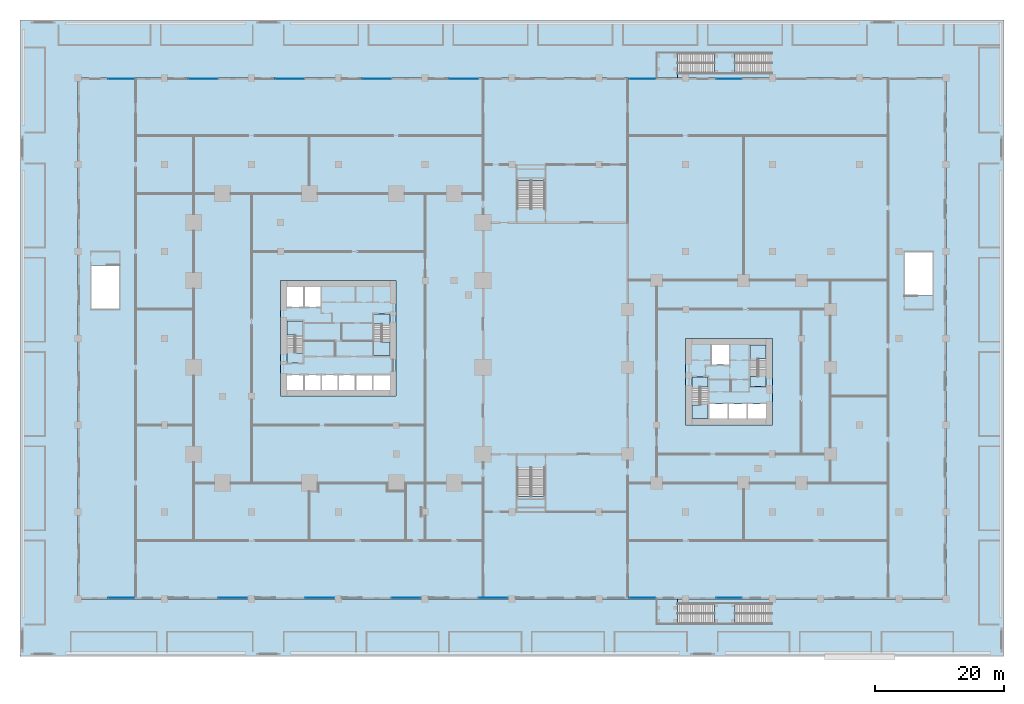
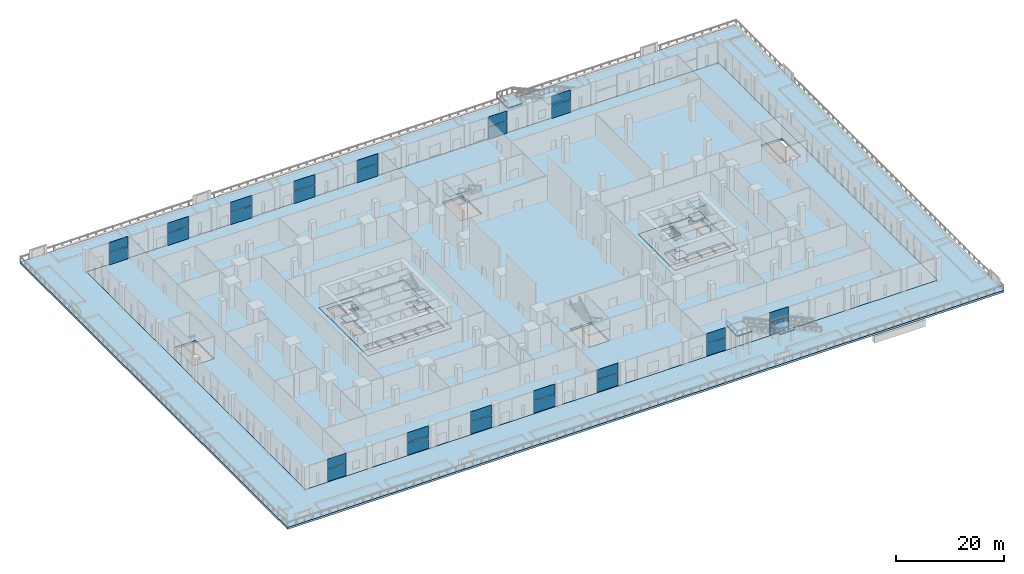
# One storey, part 18 of 47: 28 plates, 22 slabs, 22 elements without a shape of their own.
"""IFC4 building model written with IfcOpenShell, lengths in metres."""

from ifc_helpers import new_model, si_unit, direction, frame, origin, origin_2d, place, context, subcontext, project, spatial, polyline, rectangle, outline, extrude, material, layer, layer_set, type_object, element, aggregate, save


model = new_model("IFC4")

# Units and contexts
model_context = context("Model", 3, precision=1e-05, world=origin(), true_north=direction((0.0, 1.0)))
body_context = subcontext(model_context, "Body", "Model", "MODEL_VIEW")
ifc_project = project(units=[si_unit("LENGTHUNIT", "METRE"), si_unit("AREAUNIT", "SQUARE_METRE"), si_unit("VOLUMEUNIT", "CUBIC_METRE"), si_unit("PLANEANGLEUNIT", "RADIAN"), si_unit("MASSUNIT", "GRAM", prefix="KILO")], contexts=[model_context])

# Site, building, storey
site_placement = place(None, origin())
site = spatial("IfcSite", under=ifc_project, at=site_placement, CompositionType="ELEMENT")
building_placement = place(site_placement, origin())
building = spatial("IfcBuilding", under=site, at=building_placement, Name="Altepetl Exchange Towers", CompositionType="ELEMENT")
storey_placement = place(building_placement, frame((0.0, 0.0, 6.0)))
storey = spatial("IfcBuildingStorey", under=building, at=storey_placement, Name="L01 Retail podium", CompositionType="ELEMENT", Elevation=6.0)

# Slabs
ifc_material_1 = material(Name="Concrete C40/50", Category="concrete")
ifc_layer_1 = layer(ifc_material_1, 0.5)
ifc_layer_set_1 = layer_set([ifc_layer_1], Name="Concrete C40/50")
slab_type_1 = type_object("IfcSlabType", Name="Core floor slab 500", PredefinedType="FLOOR", material=ifc_layer_set_1)
slab_1_placement = place(storey_placement, frame((0.0, 0.0, -0.5)))
element("IfcSlab", 1, at=slab_1_placement, inside=storey, type_object=slab_type_1, Name="slab:A:L01:core0", PredefinedType="FLOOR", context=body_context, shape_type="SweptSolid", body=[
    extrude(outline(polyline([(40.5, 40.5), (58.5, 40.5), (58.5, 58.5), (40.5, 58.5), (40.5, 40.5)]), holes=[polyline([(41.5, 43.800048828125), (44.06689453125, 43.800048828125), (44.06689453125, 41.5), (41.5, 41.5), (41.5, 43.800048828125)]), polyline([(44.26708984375, 43.800048828125), (46.73291015625, 43.800048828125), (46.73291015625, 41.5), (44.26708984375, 41.5), (44.26708984375, 43.800048828125)]), polyline([(46.93310546875, 43.800048828125), (49.39990234375, 43.800048828125), (49.39990234375, 41.5), (46.93310546875, 41.5), (46.93310546875, 43.800048828125)]), polyline([(52.06689453125, 43.800048828125), (52.06689453125, 41.5), (49.60009765625, 41.5), (49.60009765625, 43.800048828125), (52.06689453125, 43.800048828125)]), polyline([(54.73291015625, 43.800048828125), (54.73291015625, 41.5), (52.26708984375, 41.5), (52.26708984375, 43.800048828125), (54.73291015625, 43.800048828125)]), polyline([(54.93310546875, 43.800048828125), (57.5, 43.800048828125), (57.5, 41.5), (54.93310546875, 41.5), (54.93310546875, 43.800048828125)]), polyline([(55.0, 51.7490234375), (56.300048828125, 51.7490234375), (56.300048828125, 51.64990234375), (57.5, 51.64990234375), (57.5, 46.800048828125), (55.0, 46.800048828125), (55.0, 51.7490234375)]), polyline([(44.0, 47.2509765625), (42.699951171875, 47.2509765625), (42.699951171875, 47.35009765625), (41.5, 47.35009765625), (41.5, 52.199951171875), (44.0, 52.199951171875), (44.0, 47.2509765625)]), polyline([(44.06689453125, 57.5), (44.06689453125, 54.39990234375), (41.5, 54.39990234375), (41.5, 57.5), (44.06689453125, 57.5)]), polyline([(46.73291015625, 57.5), (46.73291015625, 54.39990234375), (44.26708984375, 54.39990234375), (44.26708984375, 57.5), (46.73291015625, 57.5)])]), origin(), (0.0, 0.0, 1.0), 0.5),
])
slab_2_placement = place(storey_placement, frame((0.0, 0.0, -0.5)))
element("IfcSlab", 2, at=slab_2_placement, inside=storey, type_object=slab_type_1, Name="slab:B:L01:core0", PredefinedType="FLOOR", context=body_context, shape_type="SweptSolid", body=[
    extrude(outline(polyline([(103.5, 36.0), (117.0, 36.0), (117.0, 49.5), (103.5, 49.5), (103.5, 36.0)]), holes=[polyline([(107.199951171875, 37.0), (107.199951171875, 39.300048828125), (110.032958984375, 39.300048828125), (110.032958984375, 37.0), (107.199951171875, 37.0)]), polyline([(110.23291015625, 39.300048828125), (112.967041015625, 39.300048828125), (112.967041015625, 37.0), (110.23291015625, 37.0), (110.23291015625, 39.300048828125)]), polyline([(113.1669921875, 39.300048828125), (116.0, 39.300048828125), (116.0, 37.0), (113.1669921875, 37.0), (113.1669921875, 39.300048828125)]), polyline([(107.0, 37.0), (104.5, 37.0), (104.5, 41.85009765625), (105.699951171875, 41.85009765625), (105.699951171875, 41.948974609375), (107.0, 41.948974609375), (107.0, 37.0)]), polyline([(116.0, 48.5), (116.0, 43.64990234375), (114.800048828125, 43.64990234375), (114.800048828125, 43.551025390625), (113.5, 43.551025390625), (113.5, 48.5), (116.0, 48.5)]), polyline([(107.532958984375, 48.5), (110.26708984375, 48.5), (110.26708984375, 45.39990234375), (107.532958984375, 45.39990234375), (107.532958984375, 48.5)])]), origin(), (0.0, 0.0, 1.0), 0.5),
])

# Stair, slabs
ifc_material_2 = material(Name="Reinforced concrete C35/45", Category="concrete")
stair_type_1 = type_object("IfcStairType", Name="Exit garden steps 3200", PredefinedType="TWO_STRAIGHT_RUN_STAIR", material=ifc_material_2)
stair_1_placement = place(storey_placement, origin())
stair_1 = element("IfcStair", 3, at=stair_1_placement, inside=storey, type_object=stair_type_1, Name="ST-G7 exit garden steps", PredefinedType="TWO_STRAIGHT_RUN_STAIR")
ifc_layer_2 = layer(ifc_material_2, 0.25)
ifc_layer_set_2 = layer_set([ifc_layer_2], Name="Reinforced concrete C35/45")
slab_type_2 = type_object("IfcSlabType", Name="Garden steps landing 250", PredefinedType="LANDING", material=ifc_layer_set_2)
slab_3_placement = place(storey_placement, frame((0.0, 0.0, 5.25)))
slab_3 = element("IfcSlab", 4, at=slab_3_placement, type_object=slab_type_2, Name="ST-G7 landing 1", PredefinedType="LANDING", context=body_context, shape_type="SweptSolid", body=[
    extrude(outline(polyline([(99.0, 9.0), (102.199951171875, 9.0), (102.199951171875, 5.10009765625), (99.0, 5.10009765625), (99.0, 9.0)])), origin(), (0.0, 0.0, 1.0), 0.25),
])
slab_4_placement = place(storey_placement, frame((0.0, 0.0, 2.5)))
slab_4 = element("IfcSlab", 5, at=slab_4_placement, type_object=slab_type_2, Name="ST-G7 landing 2", PredefinedType="LANDING", context=body_context, shape_type="SweptSolid", body=[
    extrude(outline(polyline([(107.97998046875, 8.300048828125), (111.179931640625, 8.300048828125), (111.179931640625, 5.10009765625), (107.97998046875, 5.10009765625), (107.97998046875, 8.300048828125)])), origin(), (0.0, 0.0, 1.0), 0.25),
])
aggregate(stair_1, [slab_3, slab_4])

stair_2_placement = place(storey_placement, origin())
stair_2 = element("IfcStair", 6, at=stair_2_placement, inside=storey, type_object=stair_type_1, Name="ST-G8 exit garden steps", PredefinedType="TWO_STRAIGHT_RUN_STAIR")
slab_5_placement = place(storey_placement, frame((0.0, 0.0, 5.25)))
slab_5 = element("IfcSlab", 7, at=slab_5_placement, type_object=slab_type_2, Name="ST-G8 landing 1", PredefinedType="LANDING", context=body_context, shape_type="SweptSolid", body=[
    extrude(outline(polyline([(99.0, 90.0), (102.199951171875, 90.0), (102.199951171875, 93.89990234375), (99.0, 93.89990234375), (99.0, 90.0)])), origin(), (0.0, 0.0, 1.0), 0.25),
])
slab_6_placement = place(storey_placement, frame((0.0, 0.0, 2.5)))
slab_6 = element("IfcSlab", 8, at=slab_6_placement, type_object=slab_type_2, Name="ST-G8 landing 2", PredefinedType="LANDING", context=body_context, shape_type="SweptSolid", body=[
    extrude(outline(polyline([(107.97998046875, 90.699951171875), (111.179931640625, 90.699951171875), (111.179931640625, 93.89990234375), (107.97998046875, 93.89990234375), (107.97998046875, 90.699951171875)])), origin(), (0.0, 0.0, 1.0), 0.25),
])
aggregate(stair_2, [slab_5, slab_6])

# Curtain wall, plates
ifc_material_3 = material(Name="Aluminium 6063-T6 glazing", Category="aluminium")
curtain_wall_type = type_object("IfcCurtainWallType", Name="Podium storefront system", PredefinedType="NOTDEFINED", material=ifc_material_3)
curtain_wall_1_placement = place(storey_placement, origin())
curtain_wall_1 = element("IfcCurtainWall", 9, at=curtain_wall_1_placement, inside=storey, type_object=curtain_wall_type, Name="CW5 run", PredefinedType="NOTDEFINED")
ifc_material_4 = material(Name="Glass 8-16-8 toughened", Category="glass")
ifc_layer_3 = layer(ifc_material_4, 0.031982421875)
ifc_layer_set_3 = layer_set([ifc_layer_3], Name="Glass 8-16-8 toughened")
plate_type = type_object("IfcPlateType", Name="Glass panel 32 storefront", PredefinedType="CURTAIN_PANEL", material=ifc_layer_set_3)
plate_1_placement = place(storey_placement, frame((15.75, 9.14990234375, 0.0)))
plate_1 = element("IfcPlate", 10, at=plate_1_placement, type_object=plate_type, Name="GP4 panel", PredefinedType="CURTAIN_PANEL", context=body_context, shape_type="SweptSolid", body=[
    extrude(rectangle(XDim=3.97998046875, YDim=0.031982421875, at=origin_2d()), origin(), (0.0, 0.0, 1.0), 2.7099609375),
])
plate_2_placement = place(storey_placement, frame((15.75, 9.14990234375, 2.85009765625)))
plate_2 = element("IfcPlate", 11, at=plate_2_placement, type_object=plate_type, Name="GP4 panel", PredefinedType="CURTAIN_PANEL", context=body_context, shape_type="SweptSolid", body=[
    extrude(rectangle(XDim=3.97998046875, YDim=0.031982421875, at=origin_2d()), origin(), (0.0, 0.0, 1.0), 2.199951171875),
])
aggregate(curtain_wall_1, [plate_1, plate_2])

curtain_wall_2_placement = place(storey_placement, origin())
curtain_wall_2 = element("IfcCurtainWall", 12, at=curtain_wall_2_placement, inside=storey, type_object=curtain_wall_type, Name="CW5 run", PredefinedType="NOTDEFINED")
plate_3_placement = place(storey_placement, frame((33.08740234375, 9.14990234375, 0.0)))
plate_3 = element("IfcPlate", 13, at=plate_3_placement, type_object=plate_type, Name="GP4 panel", PredefinedType="CURTAIN_PANEL", context=body_context, shape_type="SweptSolid", body=[
    extrude(rectangle(XDim=4.5048828125, YDim=0.031982421875, at=origin_2d()), origin(), (0.0, 0.0, 1.0), 2.7099609375),
])
plate_4_placement = place(storey_placement, frame((33.08740234375, 9.14990234375, 2.85009765625)))
plate_4 = element("IfcPlate", 14, at=plate_4_placement, type_object=plate_type, Name="GP4 panel", PredefinedType="CURTAIN_PANEL", context=body_context, shape_type="SweptSolid", body=[
    extrude(rectangle(XDim=4.5048828125, YDim=0.031982421875, at=origin_2d()), origin(), (0.0, 0.0, 1.0), 2.199951171875),
])
aggregate(curtain_wall_2, [plate_3, plate_4])

curtain_wall_3_placement = place(storey_placement, origin())
curtain_wall_3 = element("IfcCurtainWall", 15, at=curtain_wall_3_placement, inside=storey, type_object=curtain_wall_type, Name="CW5 run", PredefinedType="NOTDEFINED")
plate_5_placement = place(storey_placement, frame((46.58740234375, 9.14990234375, 0.0)))
plate_5 = element("IfcPlate", 16, at=plate_5_placement, type_object=plate_type, Name="GP4 panel", PredefinedType="CURTAIN_PANEL", context=body_context, shape_type="SweptSolid", body=[
    extrude(rectangle(XDim=4.5048828125, YDim=0.031982421875, at=origin_2d()), origin(), (0.0, 0.0, 1.0), 2.7099609375),
])
plate_6_placement = place(storey_placement, frame((46.58740234375, 9.14990234375, 2.85009765625)))
plate_6 = element("IfcPlate", 17, at=plate_6_placement, type_object=plate_type, Name="GP4 panel", PredefinedType="CURTAIN_PANEL", context=body_context, shape_type="SweptSolid", body=[
    extrude(rectangle(XDim=4.5048828125, YDim=0.031982421875, at=origin_2d()), origin(), (0.0, 0.0, 1.0), 2.199951171875),
])
aggregate(curtain_wall_3, [plate_5, plate_6])

curtain_wall_4_placement = place(storey_placement, origin())
curtain_wall_4 = element("IfcCurtainWall", 18, at=curtain_wall_4_placement, inside=storey, type_object=curtain_wall_type, Name="CW5 run", PredefinedType="NOTDEFINED")
plate_7_placement = place(storey_placement, frame((60.08740234375, 9.14990234375, 0.0)))
plate_7 = element("IfcPlate", 19, at=plate_7_placement, type_object=plate_type, Name="GP4 panel", PredefinedType="CURTAIN_PANEL", context=body_context, shape_type="SweptSolid", body=[
    extrude(rectangle(XDim=4.5048828125, YDim=0.031982421875, at=origin_2d()), origin(), (0.0, 0.0, 1.0), 2.7099609375),
])
plate_8_placement = place(storey_placement, frame((60.08740234375, 9.14990234375, 2.85009765625)))
plate_8 = element("IfcPlate", 20, at=plate_8_placement, type_object=plate_type, Name="GP4 panel", PredefinedType="CURTAIN_PANEL", context=body_context, shape_type="SweptSolid", body=[
    extrude(rectangle(XDim=4.5048828125, YDim=0.031982421875, at=origin_2d()), origin(), (0.0, 0.0, 1.0), 2.199951171875),
])
aggregate(curtain_wall_4, [plate_7, plate_8])

curtain_wall_5_placement = place(storey_placement, origin())
curtain_wall_5 = element("IfcCurtainWall", 21, at=curtain_wall_5_placement, inside=storey, type_object=curtain_wall_type, Name="CW5 run", PredefinedType="NOTDEFINED")
plate_9_placement = place(storey_placement, frame((73.58740234375, 9.14990234375, 0.0)))
plate_9 = element("IfcPlate", 22, at=plate_9_placement, type_object=plate_type, Name="GP4 panel", PredefinedType="CURTAIN_PANEL", context=body_context, shape_type="SweptSolid", body=[
    extrude(rectangle(XDim=4.5048828125, YDim=0.031982421875, at=origin_2d()), origin(), (0.0, 0.0, 1.0), 2.7099609375),
])
plate_10_placement = place(storey_placement, frame((73.58740234375, 9.14990234375, 2.85009765625)))
plate_10 = element("IfcPlate", 23, at=plate_10_placement, type_object=plate_type, Name="GP4 panel", PredefinedType="CURTAIN_PANEL", context=body_context, shape_type="SweptSolid", body=[
    extrude(rectangle(XDim=4.5048828125, YDim=0.031982421875, at=origin_2d()), origin(), (0.0, 0.0, 1.0), 2.199951171875),
])
aggregate(curtain_wall_5, [plate_9, plate_10])

curtain_wall_6_placement = place(storey_placement, origin())
curtain_wall_6 = element("IfcCurtainWall", 24, at=curtain_wall_6_placement, inside=storey, type_object=curtain_wall_type, Name="CW5 run", PredefinedType="NOTDEFINED")
plate_11_placement = place(storey_placement, frame((96.75, 9.14990234375, 0.0)))
plate_11 = element("IfcPlate", 25, at=plate_11_placement, type_object=plate_type, Name="GP4 panel", PredefinedType="CURTAIN_PANEL", context=body_context, shape_type="SweptSolid", body=[
    extrude(rectangle(XDim=3.97998046875, YDim=0.031982421875, at=origin_2d()), origin(), (0.0, 0.0, 1.0), 2.7099609375),
])
plate_12_placement = place(storey_placement, frame((96.75, 9.14990234375, 2.85009765625)))
plate_12 = element("IfcPlate", 26, at=plate_12_placement, type_object=plate_type, Name="GP4 panel", PredefinedType="CURTAIN_PANEL", context=body_context, shape_type="SweptSolid", body=[
    extrude(rectangle(XDim=3.97998046875, YDim=0.031982421875, at=origin_2d()), origin(), (0.0, 0.0, 1.0), 2.199951171875),
])
aggregate(curtain_wall_6, [plate_11, plate_12])

curtain_wall_7_placement = place(storey_placement, origin())
curtain_wall_7 = element("IfcCurtainWall", 27, at=curtain_wall_7_placement, inside=storey, type_object=curtain_wall_type, Name="CW5 run", PredefinedType="NOTDEFINED")
plate_13_placement = place(storey_placement, frame((110.25, 9.14990234375, 0.0)))
plate_13 = element("IfcPlate", 28, at=plate_13_placement, type_object=plate_type, Name="GP4 panel", PredefinedType="CURTAIN_PANEL", context=body_context, shape_type="SweptSolid", body=[
    extrude(rectangle(XDim=3.97998046875, YDim=0.031982421875, at=origin_2d()), origin(), (0.0, 0.0, 1.0), 2.7099609375),
])
plate_14_placement = place(storey_placement, frame((110.25, 9.14990234375, 2.85009765625)))
plate_14 = element("IfcPlate", 29, at=plate_14_placement, type_object=plate_type, Name="GP4 panel", PredefinedType="CURTAIN_PANEL", context=body_context, shape_type="SweptSolid", body=[
    extrude(rectangle(XDim=3.97998046875, YDim=0.031982421875, at=origin_2d()), origin(), (0.0, 0.0, 1.0), 2.199951171875),
])
aggregate(curtain_wall_7, [plate_13, plate_14])

curtain_wall_8_placement = place(storey_placement, origin())
curtain_wall_8 = element("IfcCurtainWall", 30, at=curtain_wall_8_placement, inside=storey, type_object=curtain_wall_type, Name="CW5 run", PredefinedType="NOTDEFINED")
plate_15_placement = place(storey_placement, frame((110.25, 89.85009765625, 0.0), z_axis=(0.0, 0.0, 1.0), x_axis=(-1.0, 0.0, 0.0)))
plate_15 = element("IfcPlate", 31, at=plate_15_placement, type_object=plate_type, Name="GP4 panel", PredefinedType="CURTAIN_PANEL", context=body_context, shape_type="SweptSolid", body=[
    extrude(rectangle(XDim=3.97998046875, YDim=0.031982421875, at=origin_2d()), origin(), (0.0, 0.0, 1.0), 2.7099609375),
])
plate_16_placement = place(storey_placement, frame((110.25, 89.85009765625, 2.85009765625), z_axis=(0.0, 0.0, 1.0), x_axis=(-1.0, 0.0, 0.0)))
plate_16 = element("IfcPlate", 32, at=plate_16_placement, type_object=plate_type, Name="GP4 panel", PredefinedType="CURTAIN_PANEL", context=body_context, shape_type="SweptSolid", body=[
    extrude(rectangle(XDim=3.97998046875, YDim=0.031982421875, at=origin_2d()), origin(), (0.0, 0.0, 1.0), 2.199951171875),
])
aggregate(curtain_wall_8, [plate_15, plate_16])

curtain_wall_9_placement = place(storey_placement, origin())
curtain_wall_9 = element("IfcCurtainWall", 33, at=curtain_wall_9_placement, inside=storey, type_object=curtain_wall_type, Name="CW5 run", PredefinedType="NOTDEFINED")
plate_17_placement = place(storey_placement, frame((96.75, 89.85009765625, 0.0), z_axis=(0.0, 0.0, 1.0), x_axis=(-1.0, 0.0, 0.0)))
plate_17 = element("IfcPlate", 34, at=plate_17_placement, type_object=plate_type, Name="GP4 panel", PredefinedType="CURTAIN_PANEL", context=body_context, shape_type="SweptSolid", body=[
    extrude(rectangle(XDim=3.97998046875, YDim=0.031982421875, at=origin_2d()), origin(), (0.0, 0.0, 1.0), 2.7099609375),
])
plate_18_placement = place(storey_placement, frame((96.75, 89.85009765625, 2.85009765625), z_axis=(0.0, 0.0, 1.0), x_axis=(-1.0, 0.0, 0.0)))
plate_18 = element("IfcPlate", 35, at=plate_18_placement, type_object=plate_type, Name="GP4 panel", PredefinedType="CURTAIN_PANEL", context=body_context, shape_type="SweptSolid", body=[
    extrude(rectangle(XDim=3.97998046875, YDim=0.031982421875, at=origin_2d()), origin(), (0.0, 0.0, 1.0), 2.199951171875),
])
aggregate(curtain_wall_9, [plate_17, plate_18])

curtain_wall_10_placement = place(storey_placement, origin())
curtain_wall_10 = element("IfcCurtainWall", 36, at=curtain_wall_10_placement, inside=storey, type_object=curtain_wall_type, Name="CW5 run", PredefinedType="NOTDEFINED")
plate_19_placement = place(storey_placement, frame((68.96240234375, 89.85009765625, 0.0), z_axis=(0.0, 0.0, 1.0), x_axis=(-1.0, 0.0, 0.0)))
plate_19 = element("IfcPlate", 37, at=plate_19_placement, type_object=plate_type, Name="GP4 panel", PredefinedType="CURTAIN_PANEL", context=body_context, shape_type="SweptSolid", body=[
    extrude(rectangle(XDim=4.5048828125, YDim=0.031982421875, at=origin_2d()), origin(), (0.0, 0.0, 1.0), 2.7099609375),
])
plate_20_placement = place(storey_placement, frame((68.96240234375, 89.85009765625, 2.85009765625), z_axis=(0.0, 0.0, 1.0), x_axis=(-1.0, 0.0, 0.0)))
plate_20 = element("IfcPlate", 38, at=plate_20_placement, type_object=plate_type, Name="GP4 panel", PredefinedType="CURTAIN_PANEL", context=body_context, shape_type="SweptSolid", body=[
    extrude(rectangle(XDim=4.5048828125, YDim=0.031982421875, at=origin_2d()), origin(), (0.0, 0.0, 1.0), 2.199951171875),
])
aggregate(curtain_wall_10, [plate_19, plate_20])

curtain_wall_11_placement = place(storey_placement, origin())
curtain_wall_11 = element("IfcCurtainWall", 39, at=curtain_wall_11_placement, inside=storey, type_object=curtain_wall_type, Name="CW5 run", PredefinedType="NOTDEFINED")
plate_21_placement = place(storey_placement, frame((55.46240234375, 89.85009765625, 0.0), z_axis=(0.0, 0.0, 1.0), x_axis=(-1.0, 0.0, 0.0)))
plate_21 = element("IfcPlate", 40, at=plate_21_placement, type_object=plate_type, Name="GP4 panel", PredefinedType="CURTAIN_PANEL", context=body_context, shape_type="SweptSolid", body=[
    extrude(rectangle(XDim=4.5048828125, YDim=0.031982421875, at=origin_2d()), origin(), (0.0, 0.0, 1.0), 2.7099609375),
])
plate_22_placement = place(storey_placement, frame((55.46240234375, 89.85009765625, 2.85009765625), z_axis=(0.0, 0.0, 1.0), x_axis=(-1.0, 0.0, 0.0)))
plate_22 = element("IfcPlate", 41, at=plate_22_placement, type_object=plate_type, Name="GP4 panel", PredefinedType="CURTAIN_PANEL", context=body_context, shape_type="SweptSolid", body=[
    extrude(rectangle(XDim=4.5048828125, YDim=0.031982421875, at=origin_2d()), origin(), (0.0, 0.0, 1.0), 2.199951171875),
])
aggregate(curtain_wall_11, [plate_21, plate_22])

curtain_wall_12_placement = place(storey_placement, origin())
curtain_wall_12 = element("IfcCurtainWall", 42, at=curtain_wall_12_placement, inside=storey, type_object=curtain_wall_type, Name="CW5 run", PredefinedType="NOTDEFINED")
plate_23_placement = place(storey_placement, frame((41.96240234375, 89.85009765625, 0.0), z_axis=(0.0, 0.0, 1.0), x_axis=(-1.0, 0.0, 0.0)))
plate_23 = element("IfcPlate", 43, at=plate_23_placement, type_object=plate_type, Name="GP4 panel", PredefinedType="CURTAIN_PANEL", context=body_context, shape_type="SweptSolid", body=[
    extrude(rectangle(XDim=4.5048828125, YDim=0.031982421875, at=origin_2d()), origin(), (0.0, 0.0, 1.0), 2.7099609375),
])
plate_24_placement = place(storey_placement, frame((41.96240234375, 89.85009765625, 2.85009765625), z_axis=(0.0, 0.0, 1.0), x_axis=(-1.0, 0.0, 0.0)))
plate_24 = element("IfcPlate", 44, at=plate_24_placement, type_object=plate_type, Name="GP4 panel", PredefinedType="CURTAIN_PANEL", context=body_context, shape_type="SweptSolid", body=[
    extrude(rectangle(XDim=4.5048828125, YDim=0.031982421875, at=origin_2d()), origin(), (0.0, 0.0, 1.0), 2.199951171875),
])
aggregate(curtain_wall_12, [plate_23, plate_24])

curtain_wall_13_placement = place(storey_placement, origin())
curtain_wall_13 = element("IfcCurtainWall", 45, at=curtain_wall_13_placement, inside=storey, type_object=curtain_wall_type, Name="CW5 run", PredefinedType="NOTDEFINED")
plate_25_placement = place(storey_placement, frame((28.46240234375, 89.85009765625, 0.0), z_axis=(0.0, 0.0, 1.0), x_axis=(-1.0, 0.0, 0.0)))
plate_25 = element("IfcPlate", 46, at=plate_25_placement, type_object=plate_type, Name="GP4 panel", PredefinedType="CURTAIN_PANEL", context=body_context, shape_type="SweptSolid", body=[
    extrude(rectangle(XDim=4.5048828125, YDim=0.031982421875, at=origin_2d()), origin(), (0.0, 0.0, 1.0), 2.7099609375),
])
plate_26_placement = place(storey_placement, frame((28.46240234375, 89.85009765625, 2.85009765625), z_axis=(0.0, 0.0, 1.0), x_axis=(-1.0, 0.0, 0.0)))
plate_26 = element("IfcPlate", 47, at=plate_26_placement, type_object=plate_type, Name="GP4 panel", PredefinedType="CURTAIN_PANEL", context=body_context, shape_type="SweptSolid", body=[
    extrude(rectangle(XDim=4.5048828125, YDim=0.031982421875, at=origin_2d()), origin(), (0.0, 0.0, 1.0), 2.199951171875),
])
aggregate(curtain_wall_13, [plate_25, plate_26])

curtain_wall_14_placement = place(storey_placement, origin())
curtain_wall_14 = element("IfcCurtainWall", 48, at=curtain_wall_14_placement, inside=storey, type_object=curtain_wall_type, Name="CW5 run", PredefinedType="NOTDEFINED")
plate_27_placement = place(storey_placement, frame((15.75, 89.85009765625, 0.0), z_axis=(0.0, 0.0, 1.0), x_axis=(-1.0, 0.0, 0.0)))
plate_27 = element("IfcPlate", 49, at=plate_27_placement, type_object=plate_type, Name="GP4 panel", PredefinedType="CURTAIN_PANEL", context=body_context, shape_type="SweptSolid", body=[
    extrude(rectangle(XDim=3.97998046875, YDim=0.031982421875, at=origin_2d()), origin(), (0.0, 0.0, 1.0), 2.7099609375),
])
plate_28_placement = place(storey_placement, frame((15.75, 89.85009765625, 2.85009765625), z_axis=(0.0, 0.0, 1.0), x_axis=(-1.0, 0.0, 0.0)))
plate_28 = element("IfcPlate", 50, at=plate_28_placement, type_object=plate_type, Name="GP4 panel", PredefinedType="CURTAIN_PANEL", context=body_context, shape_type="SweptSolid", body=[
    extrude(rectangle(XDim=3.97998046875, YDim=0.031982421875, at=origin_2d()), origin(), (0.0, 0.0, 1.0), 2.199951171875),
])
aggregate(curtain_wall_14, [plate_27, plate_28])

# Slabs
ifc_layer_4 = layer(ifc_material_1, 0.449951171875)
ifc_layer_set_4 = layer_set([ifc_layer_4], Name="Concrete C40/50")
slab_type_3 = type_object("IfcSlabType", Name="Green roof slab 450", PredefinedType="ROOF", material=ifc_layer_set_4)
slab_7_placement = place(storey_placement, frame((0.0, 0.0, -0.449951171875)))
element("IfcSlab", 51, at=slab_7_placement, inside=storey, type_object=slab_type_3, Name="slab:P:L01:terrace0", PredefinedType="ROOF", context=body_context, shape_type="SweptSolid", body=[
    extrude(outline(polyline([(0.0, 0.0), (153.0, 0.0), (153.0, 99.0), (0.0, 99.0), (0.0, 0.0)]), holes=[polyline([(144.0, 90.0), (144.0, 9.0), (9.0, 9.0), (9.0, 90.0), (144.0, 90.0)])]), origin(), (0.0, 0.0, 1.0), 0.449951171875),
])
ifc_layer_5 = layer(ifc_material_1, 0.449951171875)
ifc_layer_set_5 = layer_set([ifc_layer_5], Name="Concrete C40/50")
slab_type_4 = type_object("IfcSlabType", Name="Podium flat slab 450", PredefinedType="FLOOR", material=ifc_layer_set_5)
slab_8_placement = place(storey_placement, frame((0.0, 0.0, -0.449951171875)))
element("IfcSlab", 52, at=slab_8_placement, inside=storey, type_object=slab_type_4, Name="slab:P:L01:flat0", PredefinedType="FLOOR", context=body_context, shape_type="SweptSolid", body=[
    extrude(outline(polyline([(9.0, 9.0), (144.0, 9.0), (144.0, 90.0), (9.0, 90.0), (9.0, 9.0)]), holes=[polyline([(117.0, 36.0), (103.5, 36.0), (103.5, 49.5), (117.0, 49.5), (117.0, 36.0)]), polyline([(58.5, 40.5), (40.5, 40.5), (40.5, 58.5), (58.5, 58.5), (58.5, 40.5)]), polyline([(77.199951171875, 29.300048828125), (81.699951171875, 29.300048828125), (81.699951171875, 22.5), (77.199951171875, 22.5), (77.199951171875, 29.300048828125)]), polyline([(81.699951171875, 76.5), (81.699951171875, 69.699951171875), (77.199951171875, 69.699951171875), (77.199951171875, 76.5), (81.699951171875, 76.5)]), polyline([(15.5, 54.0), (11.0, 54.0), (11.0, 60.800048828125), (15.5, 60.800048828125), (15.5, 54.0)]), polyline([(137.5, 56.199951171875), (137.5, 63.0), (142.0, 63.0), (142.0, 56.199951171875), (137.5, 56.199951171875)])]), origin(), (0.0, 0.0, 1.0), 0.449951171875),
])

# Stair, slab
stair_type_2 = type_object("IfcStairType", Name="Exit half-turn stair 2025", PredefinedType="HALF_TURN_STAIR", material=ifc_material_2)
stair_3_placement = place(storey_placement, origin())
stair_3 = element("IfcStair", 53, at=stair_3_placement, inside=storey, type_object=stair_type_2, Name="ST-P9 stair", PredefinedType="HALF_TURN_STAIR")
ifc_layer_6 = layer(ifc_material_2, 0.199951171875)
ifc_layer_set_6 = layer_set([ifc_layer_6], Name="Reinforced concrete C35/45")
slab_type_5 = type_object("IfcSlabType", Name="Stair landing 200", PredefinedType="LANDING", material=ifc_layer_set_6)
slab_9_placement = place(storey_placement, frame((0.0, 0.0, 2.550048828125)))
slab_9 = element("IfcSlab", 54, at=slab_9_placement, type_object=slab_type_5, Name="ST-P9 landing 1", PredefinedType="LANDING", context=body_context, shape_type="SweptSolid", body=[
    extrude(outline(polyline([(81.699951171875, 24.919921875), (77.199951171875, 24.919921875), (77.199951171875, 22.5), (81.699951171875, 22.5), (81.699951171875, 24.919921875)])), origin(), (0.0, 0.0, 1.0), 0.199951171875),
])
aggregate(stair_3, [slab_9])

stair_4_placement = place(storey_placement, origin())
stair_4 = element("IfcStair", 55, at=stair_4_placement, inside=storey, type_object=stair_type_2, Name="ST-P10 stair", PredefinedType="HALF_TURN_STAIR")
slab_10_placement = place(storey_placement, frame((0.0, 0.0, 2.550048828125)))
slab_10 = element("IfcSlab", 56, at=slab_10_placement, type_object=slab_type_5, Name="ST-P10 landing 1", PredefinedType="LANDING", context=body_context, shape_type="SweptSolid", body=[
    extrude(outline(polyline([(77.199951171875, 74.080078125), (81.699951171875, 74.080078125), (81.699951171875, 76.5), (77.199951171875, 76.5), (77.199951171875, 74.080078125)])), origin(), (0.0, 0.0, 1.0), 0.199951171875),
])
aggregate(stair_4, [slab_10])

# Stair, slabs
stair_type_3 = type_object("IfcStairType", Name="Exit stair 1200 flights dogleg", PredefinedType="HALF_TURN_STAIR", material=ifc_material_1)
stair_5_placement = place(storey_placement, origin())
stair_5 = element("IfcStair", 57, at=stair_5_placement, inside=storey, type_object=stair_type_3, Name="Exit stair 1", PredefinedType="HALF_TURN_STAIR")
ifc_layer_7 = layer(ifc_material_1, 0.199951171875)
ifc_layer_set_7 = layer_set([ifc_layer_7], Name="Concrete C40/50")
slab_type_6 = type_object("IfcSlabType", Name="Stair landing 200 reinforced concrete", PredefinedType="LANDING", material=ifc_layer_set_7)
slab_11_placement = place(storey_placement, frame((0.0, 0.0, 1.175048828125)))
slab_11 = element("IfcSlab", 58, at=slab_11_placement, type_object=slab_type_6, Name="ST-A1a landing 1", PredefinedType="LANDING", context=body_context, shape_type="SweptSolid", body=[
    extrude(outline(polyline([(44.0, 49.949951171875), (42.800048828125, 49.949951171875), (42.800048828125, 50.050048828125), (42.699951171875, 50.050048828125), (42.699951171875, 50.04931640625), (41.5, 50.04931640625), (41.5, 50.050048828125), (41.5, 52.199951171875), (44.0, 52.199951171875), (44.0, 50.050048828125), (44.0, 49.949951171875)])), origin(), (0.0, 0.0, 1.0), 0.199951171875),
])
slab_12_placement = place(storey_placement, frame((0.0, 0.0, 2.550048828125)))
slab_12 = element("IfcSlab", 59, at=slab_12_placement, type_object=slab_type_6, Name="ST-A1a landing 2", PredefinedType="LANDING", context=body_context, shape_type="SweptSolid", body=[
    extrude(outline(polyline([(44.0, 45.699951171875), (41.5, 45.699951171875), (41.5, 47.25), (41.5, 47.35009765625), (42.699951171875, 47.35009765625), (42.699951171875, 47.25), (42.800048828125, 47.25), (42.800048828125, 47.250732421875), (44.0, 47.250732421875), (44.0, 47.25), (44.0, 45.699951171875)])), origin(), (0.0, 0.0, 1.0), 0.199951171875),
])
slab_13_placement = place(storey_placement, frame((0.0, 0.0, 3.925048828125)))
slab_13 = element("IfcSlab", 60, at=slab_13_placement, type_object=slab_type_6, Name="ST-A1a landing 3", PredefinedType="LANDING", context=body_context, shape_type="SweptSolid", body=[
    extrude(outline(polyline([(44.0, 49.949951171875), (42.800048828125, 49.949951171875), (42.800048828125, 50.050048828125), (42.699951171875, 50.050048828125), (42.699951171875, 50.04931640625), (41.5, 50.04931640625), (41.5, 50.050048828125), (41.5, 52.199951171875), (44.0, 52.199951171875), (44.0, 50.050048828125), (44.0, 49.949951171875)])), origin(), (0.0, 0.0, 1.0), 0.199951171875),
])
aggregate(stair_5, [slab_11, slab_12, slab_13])

stair_6_placement = place(storey_placement, origin())
stair_6 = element("IfcStair", 61, at=stair_6_placement, inside=storey, type_object=stair_type_3, Name="Exit stair 2", PredefinedType="HALF_TURN_STAIR")
slab_14_placement = place(storey_placement, frame((0.0, 0.0, 1.175048828125)))
slab_14 = element("IfcSlab", 62, at=slab_14_placement, type_object=slab_type_6, Name="ST-A2a landing 1", PredefinedType="LANDING", context=body_context, shape_type="SweptSolid", body=[
    extrude(outline(polyline([(57.5, 46.800048828125), (55.0, 46.800048828125), (55.0, 48.949951171875), (55.0, 49.050048828125), (56.199951171875, 49.050048828125), (56.199951171875, 48.949951171875), (56.300048828125, 48.949951171875), (56.300048828125, 48.95068359375), (57.5, 48.95068359375), (57.5, 48.949951171875), (57.5, 46.800048828125)])), origin(), (0.0, 0.0, 1.0), 0.199951171875),
])
slab_15_placement = place(storey_placement, frame((0.0, 0.0, 2.550048828125)))
slab_15 = element("IfcSlab", 63, at=slab_15_placement, type_object=slab_type_6, Name="ST-A2a landing 2", PredefinedType="LANDING", context=body_context, shape_type="SweptSolid", body=[
    extrude(outline(polyline([(57.5, 51.64990234375), (56.300048828125, 51.64990234375), (56.300048828125, 51.75), (56.199951171875, 51.75), (56.199951171875, 51.749267578125), (55.0, 51.749267578125), (55.0, 51.75), (55.0, 53.300048828125), (57.5, 53.300048828125), (57.5, 51.75), (57.5, 51.64990234375)])), origin(), (0.0, 0.0, 1.0), 0.199951171875),
])
slab_16_placement = place(storey_placement, frame((0.0, 0.0, 3.925048828125)))
slab_16 = element("IfcSlab", 64, at=slab_16_placement, type_object=slab_type_6, Name="ST-A2a landing 3", PredefinedType="LANDING", context=body_context, shape_type="SweptSolid", body=[
    extrude(outline(polyline([(57.5, 46.800048828125), (55.0, 46.800048828125), (55.0, 48.949951171875), (55.0, 49.050048828125), (56.199951171875, 49.050048828125), (56.199951171875, 48.949951171875), (56.300048828125, 48.949951171875), (56.300048828125, 48.95068359375), (57.5, 48.95068359375), (57.5, 48.949951171875), (57.5, 46.800048828125)])), origin(), (0.0, 0.0, 1.0), 0.199951171875),
])
aggregate(stair_6, [slab_14, slab_15, slab_16])

stair_7_placement = place(storey_placement, origin())
stair_7 = element("IfcStair", 65, at=stair_7_placement, inside=storey, type_object=stair_type_3, Name="Exit stair 1", PredefinedType="HALF_TURN_STAIR")
slab_17_placement = place(storey_placement, frame((0.0, 0.0, 1.175048828125)))
slab_17 = element("IfcSlab", 66, at=slab_17_placement, type_object=slab_type_6, Name="ST-B1a landing 1", PredefinedType="LANDING", context=body_context, shape_type="SweptSolid", body=[
    extrude(outline(polyline([(107.0, 37.0), (104.5, 37.0), (104.5, 39.14990234375), (104.5, 39.150634765625), (105.699951171875, 39.150634765625), (105.699951171875, 39.14990234375), (105.800048828125, 39.14990234375), (105.800048828125, 39.25), (107.0, 39.25), (107.0, 39.14990234375), (107.0, 37.0)])), origin(), (0.0, 0.0, 1.0), 0.199951171875),
])
slab_18_placement = place(storey_placement, frame((0.0, 0.0, 2.550048828125)))
slab_18 = element("IfcSlab", 67, at=slab_18_placement, type_object=slab_type_6, Name="ST-B1a landing 2", PredefinedType="LANDING", context=body_context, shape_type="SweptSolid", body=[
    extrude(outline(polyline([(105.699951171875, 41.85009765625), (104.5, 41.85009765625), (104.5, 41.949951171875), (104.5, 43.5), (107.0, 43.5), (107.0, 41.949951171875), (107.0, 41.94921875), (105.800048828125, 41.94921875), (105.800048828125, 41.949951171875), (105.699951171875, 41.949951171875), (105.699951171875, 41.85009765625)])), origin(), (0.0, 0.0, 1.0), 0.199951171875),
])
slab_19_placement = place(storey_placement, frame((0.0, 0.0, 3.925048828125)))
slab_19 = element("IfcSlab", 68, at=slab_19_placement, type_object=slab_type_6, Name="ST-B1a landing 3", PredefinedType="LANDING", context=body_context, shape_type="SweptSolid", body=[
    extrude(outline(polyline([(107.0, 37.0), (104.5, 37.0), (104.5, 39.14990234375), (104.5, 39.150634765625), (105.699951171875, 39.150634765625), (105.699951171875, 39.14990234375), (105.800048828125, 39.14990234375), (105.800048828125, 39.25), (107.0, 39.25), (107.0, 39.14990234375), (107.0, 37.0)])), origin(), (0.0, 0.0, 1.0), 0.199951171875),
])
aggregate(stair_7, [slab_17, slab_18, slab_19])

stair_8_placement = place(storey_placement, origin())
stair_8 = element("IfcStair", 69, at=stair_8_placement, inside=storey, type_object=stair_type_3, Name="Exit stair 2", PredefinedType="HALF_TURN_STAIR")
slab_20_placement = place(storey_placement, frame((0.0, 0.0, 1.175048828125)))
slab_20 = element("IfcSlab", 70, at=slab_20_placement, type_object=slab_type_6, Name="ST-B2a landing 1", PredefinedType="LANDING", context=body_context, shape_type="SweptSolid", body=[
    extrude(outline(polyline([(114.699951171875, 46.25), (113.5, 46.25), (113.5, 46.35009765625), (113.5, 48.5), (116.0, 48.5), (116.0, 46.35009765625), (116.0, 46.349365234375), (114.800048828125, 46.349365234375), (114.800048828125, 46.35009765625), (114.699951171875, 46.35009765625), (114.699951171875, 46.25)])), origin(), (0.0, 0.0, 1.0), 0.199951171875),
])
slab_21_placement = place(storey_placement, frame((0.0, 0.0, 2.550048828125)))
slab_21 = element("IfcSlab", 71, at=slab_21_placement, type_object=slab_type_6, Name="ST-B2a landing 2", PredefinedType="LANDING", context=body_context, shape_type="SweptSolid", body=[
    extrude(outline(polyline([(116.0, 42.0), (113.5, 42.0), (113.5, 43.550048828125), (113.5, 43.55078125), (114.699951171875, 43.55078125), (114.699951171875, 43.550048828125), (114.800048828125, 43.550048828125), (114.800048828125, 43.64990234375), (116.0, 43.64990234375), (116.0, 43.550048828125), (116.0, 42.0)])), origin(), (0.0, 0.0, 1.0), 0.199951171875),
])
slab_22_placement = place(storey_placement, frame((0.0, 0.0, 3.925048828125)))
slab_22 = element("IfcSlab", 72, at=slab_22_placement, type_object=slab_type_6, Name="ST-B2a landing 3", PredefinedType="LANDING", context=body_context, shape_type="SweptSolid", body=[
    extrude(outline(polyline([(114.699951171875, 46.25), (113.5, 46.25), (113.5, 46.35009765625), (113.5, 48.5), (116.0, 48.5), (116.0, 46.35009765625), (116.0, 46.349365234375), (114.800048828125, 46.349365234375), (114.800048828125, 46.35009765625), (114.699951171875, 46.35009765625), (114.699951171875, 46.25)])), origin(), (0.0, 0.0, 1.0), 0.199951171875),
])
aggregate(stair_8, [slab_20, slab_21, slab_22])

save(model, "model.ifc")
